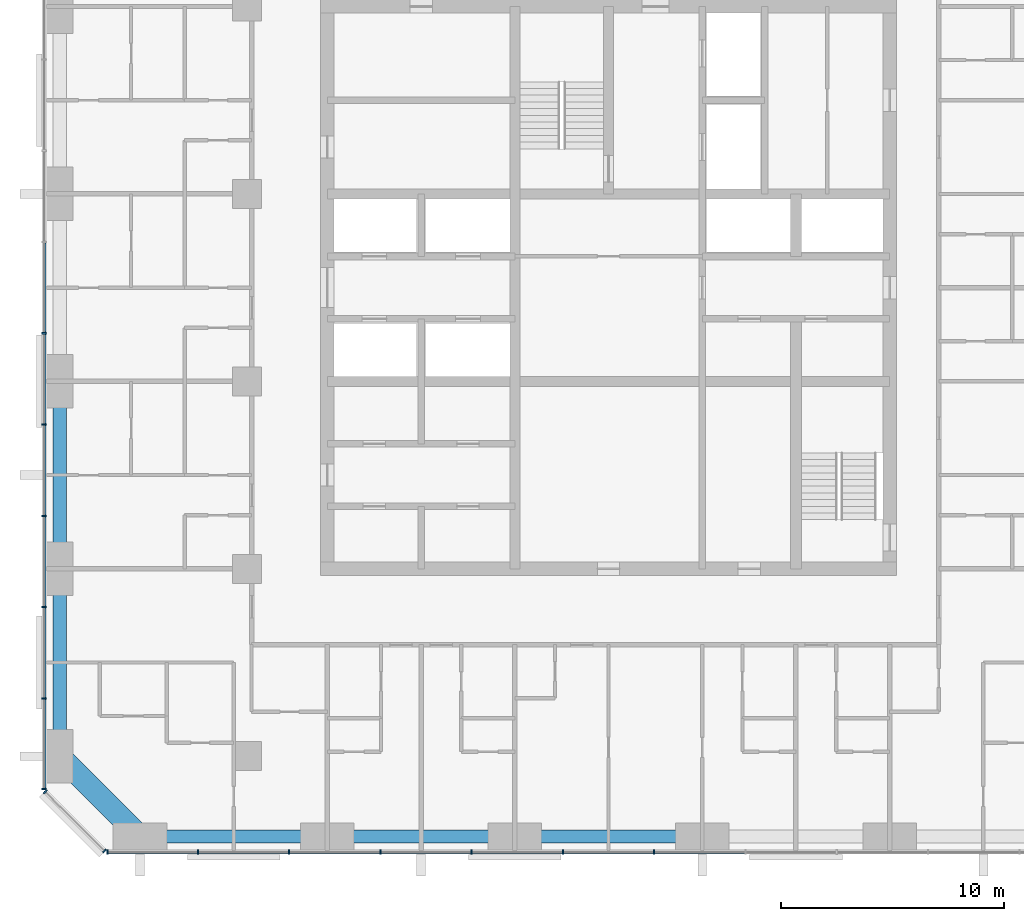
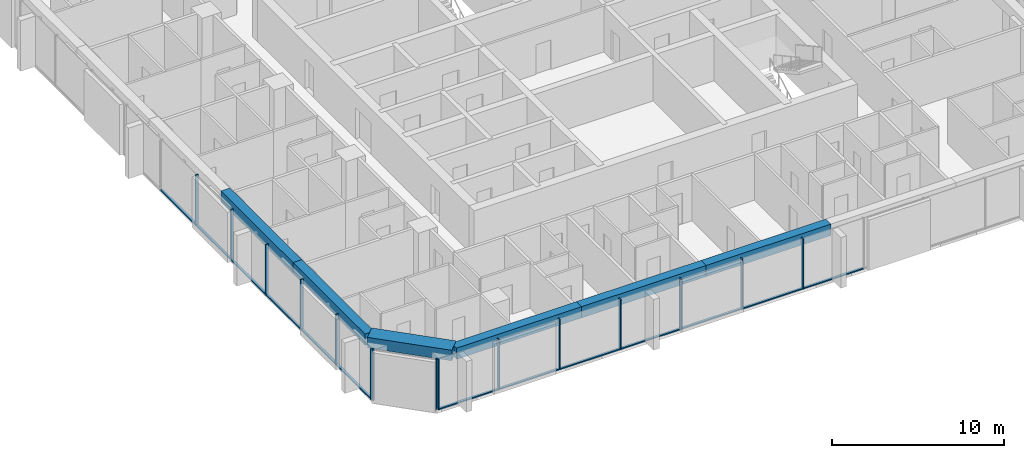
# One storey, part 2 of 14: 28 members, 6 beams, 3 elements without a shape of their own.
"""IFC4 building model written with IfcOpenShell, lengths in metres."""

from ifc_helpers import new_model, si_unit, direction, frame, origin, origin_2d, place, context, subcontext, project, spatial, rectangle, extrude, material, material_profile, profile_set, type_object, element, aggregate, save


model = new_model("IFC4")

# Units and contexts
model_context = context("Model", 3, precision=1e-05, world=origin(), true_north=direction((0.0, 1.0)))
body_context = subcontext(model_context, "Body", "Model", "MODEL_VIEW")
ifc_project = project(units=[si_unit("LENGTHUNIT", "METRE"), si_unit("AREAUNIT", "SQUARE_METRE"), si_unit("VOLUMEUNIT", "CUBIC_METRE"), si_unit("PLANEANGLEUNIT", "RADIAN"), si_unit("MASSUNIT", "GRAM", prefix="KILO")], contexts=[model_context])

# Site, building, storey
site_placement = place(None, origin())
site = spatial("IfcSite", under=ifc_project, at=site_placement, CompositionType="ELEMENT")
building_placement = place(site_placement, origin())
building = spatial("IfcBuilding", under=site, at=building_placement, Name="Dunama Terrace Hotel", CompositionType="ELEMENT")
storey_placement = place(building_placement, frame((0.0, 0.0, 202.199951171875)))
storey = spatial("IfcBuildingStorey", under=building, at=storey_placement, Name="L52", CompositionType="ELEMENT", Elevation=202.199951171875)

# Curtain wall, members
ifc_material_1 = material(Name="Aluminium curtain wall system", Category="aluminium")
curtain_wall_type = type_object("IfcCurtainWallType", Name="Unitised fritted glass wall CW-C", PredefinedType="NOTDEFINED", material=ifc_material_1)
curtain_wall_1_placement = place(storey_placement, origin())
curtain_wall_1 = element("IfcCurtainWall", 1, at=curtain_wall_1_placement, inside=storey, type_object=curtain_wall_type, Name="Unitised fritted glass wall CW-C L52", PredefinedType="NOTDEFINED")
ifc_material_2 = material(Name="Aluminium mullion", Category="aluminium")
ifc_material_profile_1 = material_profile(ifc_material_2, rectangle(XDim=0.070068359375, YDim=0.199951171875, at=origin_2d()), Name="CWC MULLION 70X200")
ifc_profile_set_1 = profile_set([ifc_material_profile_1], Name="Aluminium mullion")
member_type_1 = type_object("IfcMemberType", Name="CWC mullion 70x200", PredefinedType="MULLION", material=ifc_profile_set_1)
member_1_placement = place(storey_placement, frame((6.93505859375, 4.10009765625, 0.0), z_axis=(0.0, 0.0, 1.0), x_axis=(1.0, 0.0, 0.0)))
member_1 = element("IfcMember", 2, at=member_1_placement, type_object=member_type_1, Name="CWC mullion", PredefinedType="MULLION", context=body_context, shape_type="SweptSolid", body=[
    extrude(rectangle(XDim=0.070068359375, YDim=0.199951171875, at=origin_2d()), origin(), (0.0, 0.0, 1.0), 3.60009765625),
])
member_2_placement = place(storey_placement, frame((10.990966796875, 4.10009765625, 0.0), z_axis=(0.0, 0.0, 1.0), x_axis=(1.0, 0.0, 0.0)))
member_2 = element("IfcMember", 3, at=member_2_placement, type_object=member_type_1, Name="CWC mullion", PredefinedType="MULLION", context=body_context, shape_type="SweptSolid", body=[
    extrude(rectangle(XDim=0.070068359375, YDim=0.199951171875, at=origin_2d()), origin(), (0.0, 0.0, 1.0), 3.60009765625),
])
member_3_placement = place(storey_placement, frame((15.08203125, 4.10009765625, 0.0), z_axis=(0.0, 0.0, 1.0), x_axis=(1.0, 0.0, 0.0)))
member_3 = element("IfcMember", 4, at=member_3_placement, type_object=member_type_1, Name="CWC mullion", PredefinedType="MULLION", context=body_context, shape_type="SweptSolid", body=[
    extrude(rectangle(XDim=0.070068359375, YDim=0.199951171875, at=origin_2d()), origin(), (0.0, 0.0, 1.0), 3.60009765625),
])
member_4_placement = place(storey_placement, frame((19.173095703125, 4.10009765625, 0.0), z_axis=(0.0, 0.0, 1.0), x_axis=(1.0, 0.0, 0.0)))
member_4 = element("IfcMember", 5, at=member_4_placement, type_object=member_type_1, Name="CWC mullion", PredefinedType="MULLION", context=body_context, shape_type="SweptSolid", body=[
    extrude(rectangle(XDim=0.070068359375, YDim=0.199951171875, at=origin_2d()), origin(), (0.0, 0.0, 1.0), 3.60009765625),
])
member_5_placement = place(storey_placement, frame((23.263916015625, 4.10009765625, 0.0), z_axis=(0.0, 0.0, 1.0), x_axis=(1.0, 0.0, 0.0)))
member_5 = element("IfcMember", 6, at=member_5_placement, type_object=member_type_1, Name="CWC mullion", PredefinedType="MULLION", context=body_context, shape_type="SweptSolid", body=[
    extrude(rectangle(XDim=0.070068359375, YDim=0.199951171875, at=origin_2d()), origin(), (0.0, 0.0, 1.0), 3.60009765625),
])
member_6_placement = place(storey_placement, frame((27.35498046875, 4.10009765625, 0.0), z_axis=(0.0, 0.0, 1.0), x_axis=(1.0, 0.0, 0.0)))
member_6 = element("IfcMember", 7, at=member_6_placement, type_object=member_type_1, Name="CWC mullion", PredefinedType="MULLION", context=body_context, shape_type="SweptSolid", body=[
    extrude(rectangle(XDim=0.070068359375, YDim=0.199951171875, at=origin_2d()), origin(), (0.0, 0.0, 1.0), 3.60009765625),
])
member_7_placement = place(storey_placement, frame((31.445068359375, 4.10009765625, 0.0), z_axis=(0.0, 0.0, 1.0), x_axis=(1.0, 0.0, 0.0)))
member_7 = element("IfcMember", 8, at=member_7_placement, type_object=member_type_1, Name="CWC mullion", PredefinedType="MULLION", context=body_context, shape_type="SweptSolid", body=[
    extrude(rectangle(XDim=0.070068359375, YDim=0.199951171875, at=origin_2d()), origin(), (0.0, 0.0, 1.0), 3.60009765625),
])

curtain_wall_2_placement = place(storey_placement, origin())
curtain_wall_2 = element("IfcCurtainWall", 9, at=curtain_wall_2_placement, inside=storey, type_object=curtain_wall_type, Name="Unitised fritted glass wall CW-C L52", PredefinedType="NOTDEFINED")
member_8_placement = place(storey_placement, frame((4.10009765625, 27.35498046875, 0.0), z_axis=(0.0, 0.0, 1.0), x_axis=(0.0, -1.0, 0.0)))
member_8 = element("IfcMember", 10, at=member_8_placement, type_object=member_type_1, Name="CWC mullion", PredefinedType="MULLION", context=body_context, shape_type="SweptSolid", body=[
    extrude(rectangle(XDim=0.070068359375, YDim=0.199951171875, at=origin_2d()), origin(), (0.0, 0.0, 1.0), 3.60009765625),
])
member_9_placement = place(storey_placement, frame((4.10009765625, 23.263916015625, 0.0), z_axis=(0.0, 0.0, 1.0), x_axis=(0.0, -1.0, 0.0)))
member_9 = element("IfcMember", 11, at=member_9_placement, type_object=member_type_1, Name="CWC mullion", PredefinedType="MULLION", context=body_context, shape_type="SweptSolid", body=[
    extrude(rectangle(XDim=0.070068359375, YDim=0.199951171875, at=origin_2d()), origin(), (0.0, 0.0, 1.0), 3.60009765625),
])
member_10_placement = place(storey_placement, frame((4.10009765625, 19.173095703125, 0.0), z_axis=(0.0, 0.0, 1.0), x_axis=(0.0, -1.0, 0.0)))
member_10 = element("IfcMember", 12, at=member_10_placement, type_object=member_type_1, Name="CWC mullion", PredefinedType="MULLION", context=body_context, shape_type="SweptSolid", body=[
    extrude(rectangle(XDim=0.070068359375, YDim=0.199951171875, at=origin_2d()), origin(), (0.0, 0.0, 1.0), 3.60009765625),
])
member_11_placement = place(storey_placement, frame((4.10009765625, 15.08203125, 0.0), z_axis=(0.0, 0.0, 1.0), x_axis=(0.0, -1.0, 0.0)))
member_11 = element("IfcMember", 13, at=member_11_placement, type_object=member_type_1, Name="CWC mullion", PredefinedType="MULLION", context=body_context, shape_type="SweptSolid", body=[
    extrude(rectangle(XDim=0.070068359375, YDim=0.199951171875, at=origin_2d()), origin(), (0.0, 0.0, 1.0), 3.60009765625),
])
member_12_placement = place(storey_placement, frame((4.10009765625, 10.990966796875, 0.0), z_axis=(0.0, 0.0, 1.0), x_axis=(0.0, -1.0, 0.0)))
member_12 = element("IfcMember", 14, at=member_12_placement, type_object=member_type_1, Name="CWC mullion", PredefinedType="MULLION", context=body_context, shape_type="SweptSolid", body=[
    extrude(rectangle(XDim=0.070068359375, YDim=0.199951171875, at=origin_2d()), origin(), (0.0, 0.0, 1.0), 3.60009765625),
])
member_13_placement = place(storey_placement, frame((4.10009765625, 6.93505859375, 0.0), z_axis=(0.0, 0.0, 1.0), x_axis=(0.0, -1.0, 0.0)))
member_13 = element("IfcMember", 15, at=member_13_placement, type_object=member_type_1, Name="CWC mullion", PredefinedType="MULLION", context=body_context, shape_type="SweptSolid", body=[
    extrude(rectangle(XDim=0.070068359375, YDim=0.199951171875, at=origin_2d()), origin(), (0.0, 0.0, 1.0), 3.60009765625),
])

curtain_wall_3_placement = place(storey_placement, origin())
curtain_wall_3 = element("IfcCurtainWall", 16, at=curtain_wall_3_placement, inside=storey, type_object=curtain_wall_type, Name="Unitised fritted glass wall CW-C L52", PredefinedType="NOTDEFINED")
member_14_placement = place(storey_placement, frame((4.154052734375, 6.804931640625, 0.0), z_axis=(0.0, 0.0, 1.0), x_axis=(0.707106781187, -0.707106781187, 0.0)))
member_14 = element("IfcMember", 17, at=member_14_placement, type_object=member_type_1, Name="CWC mullion", PredefinedType="MULLION", context=body_context, shape_type="SweptSolid", body=[
    extrude(rectangle(XDim=0.070068359375, YDim=0.199951171875, at=origin_2d()), origin(), (0.0, 0.0, 1.0), 3.60009765625),
])
member_15_placement = place(storey_placement, frame((6.804931640625, 4.154052734375, 0.0), z_axis=(0.0, 0.0, 1.0), x_axis=(0.707106781187, -0.707106781187, 0.0)))
member_15 = element("IfcMember", 18, at=member_15_placement, type_object=member_type_1, Name="CWC mullion", PredefinedType="MULLION", context=body_context, shape_type="SweptSolid", body=[
    extrude(rectangle(XDim=0.070068359375, YDim=0.199951171875, at=origin_2d()), origin(), (0.0, 0.0, 1.0), 3.60009765625),
])
aggregate(curtain_wall_3, [member_14, member_15])

# Member
ifc_material_3 = material(Name="Aluminium transom", Category="aluminium")
ifc_material_profile_2 = material_profile(ifc_material_3, rectangle(XDim=0.159912109375, YDim=0.080078125, at=origin_2d()), Name="CWC TRANSOM 160X80")
ifc_profile_set_2 = profile_set([ifc_material_profile_2], Name="Aluminium transom")
member_type_2 = type_object("IfcMemberType", Name="CWC transom 160x80", PredefinedType="USERDEFINED", material=ifc_profile_set_2)
member_16_placement = place(storey_placement, frame((6.969970703125, 4.10009765625, 0.0400390625), z_axis=(1.0, 0.0, 0.0), x_axis=(0.0, 1.0, 0.0)))
member_16 = element("IfcMember", 19, at=member_16_placement, type_object=member_type_2, Name="CWC transom", ObjectType="TRANSOM", PredefinedType="USERDEFINED", context=body_context, shape_type="SweptSolid", body=[
    extrude(rectangle(XDim=0.159912109375, YDim=0.080078125, at=origin_2d()), origin(), (0.0, 0.0, 1.0), 3.986083984375),
])

member_17_placement = place(storey_placement, frame((11.02587890625, 4.10009765625, 0.0400390625), z_axis=(1.0, 0.0, 0.0), x_axis=(0.0, 1.0, 0.0)))
member_17 = element("IfcMember", 20, at=member_17_placement, type_object=member_type_2, Name="CWC transom", ObjectType="TRANSOM", PredefinedType="USERDEFINED", context=body_context, shape_type="SweptSolid", body=[
    extrude(rectangle(XDim=0.159912109375, YDim=0.080078125, at=origin_2d()), origin(), (0.0, 0.0, 1.0), 4.021240234375),
])

member_18_placement = place(storey_placement, frame((15.116943359375, 4.10009765625, 0.0400390625), z_axis=(1.0, 0.0, 0.0), x_axis=(0.0, 1.0, 0.0)))
member_18 = element("IfcMember", 21, at=member_18_placement, type_object=member_type_2, Name="CWC transom", ObjectType="TRANSOM", PredefinedType="USERDEFINED", context=body_context, shape_type="SweptSolid", body=[
    extrude(rectangle(XDim=0.159912109375, YDim=0.080078125, at=origin_2d()), origin(), (0.0, 0.0, 1.0), 4.02099609375),
])

member_19_placement = place(storey_placement, frame((19.2080078125, 4.10009765625, 0.0400390625), z_axis=(1.0, 0.0, 0.0), x_axis=(0.0, 1.0, 0.0)))
member_19 = element("IfcMember", 22, at=member_19_placement, type_object=member_type_2, Name="CWC transom", ObjectType="TRANSOM", PredefinedType="USERDEFINED", context=body_context, shape_type="SweptSolid", body=[
    extrude(rectangle(XDim=0.159912109375, YDim=0.080078125, at=origin_2d()), origin(), (0.0, 0.0, 1.0), 4.02099609375),
])

member_20_placement = place(storey_placement, frame((23.299072265625, 4.10009765625, 0.0400390625), z_axis=(1.0, 0.0, 0.0), x_axis=(0.0, 1.0, 0.0)))
member_20 = element("IfcMember", 23, at=member_20_placement, type_object=member_type_2, Name="CWC transom", ObjectType="TRANSOM", PredefinedType="USERDEFINED", context=body_context, shape_type="SweptSolid", body=[
    extrude(rectangle(XDim=0.159912109375, YDim=0.080078125, at=origin_2d()), origin(), (0.0, 0.0, 1.0), 4.02099609375),
])

member_21_placement = place(storey_placement, frame((27.389892578125, 4.10009765625, 0.0400390625), z_axis=(1.0, 0.0, 0.0), x_axis=(0.0, 1.0, 0.0)))
member_21 = element("IfcMember", 24, at=member_21_placement, type_object=member_type_2, Name="CWC transom", ObjectType="TRANSOM", PredefinedType="USERDEFINED", context=body_context, shape_type="SweptSolid", body=[
    extrude(rectangle(XDim=0.159912109375, YDim=0.080078125, at=origin_2d()), origin(), (0.0, 0.0, 1.0), 4.02001953125),
])

member_22_placement = place(storey_placement, frame((31.47998046875, 4.10009765625, 0.0400390625), z_axis=(1.0, 0.0, 0.0), x_axis=(0.0, 1.0, 0.0)))
member_22 = element("IfcMember", 25, at=member_22_placement, type_object=member_type_2, Name="CWC transom", ObjectType="TRANSOM", PredefinedType="USERDEFINED", context=body_context, shape_type="SweptSolid", body=[
    extrude(rectangle(XDim=0.159912109375, YDim=0.080078125, at=origin_2d()), origin(), (0.0, 0.0, 1.0), 4.02099609375),
])

aggregate(curtain_wall_1, [member_1, member_2, member_3, member_4, member_5, member_6, member_7, member_16, member_17, member_18, member_19, member_20, member_21, member_22])

member_23_placement = place(storey_placement, frame((4.10009765625, 31.409912109375, 0.0400390625), z_axis=(0.0, -1.0, 0.0), x_axis=(1.0, 0.0, 0.0)))
member_23 = element("IfcMember", 26, at=member_23_placement, type_object=member_type_2, Name="CWC transom", ObjectType="TRANSOM", PredefinedType="USERDEFINED", context=body_context, shape_type="SweptSolid", body=[
    extrude(rectangle(XDim=0.159912109375, YDim=0.080078125, at=origin_2d()), origin(), (0.0, 0.0, 1.0), 4.02001953125),
])

member_24_placement = place(storey_placement, frame((4.10009765625, 27.320068359375, 0.0400390625), z_axis=(0.0, -1.0, 0.0), x_axis=(1.0, 0.0, 0.0)))
member_24 = element("IfcMember", 27, at=member_24_placement, type_object=member_type_2, Name="CWC transom", ObjectType="TRANSOM", PredefinedType="USERDEFINED", context=body_context, shape_type="SweptSolid", body=[
    extrude(rectangle(XDim=0.159912109375, YDim=0.080078125, at=origin_2d()), origin(), (0.0, 0.0, 1.0), 4.02099609375),
])

member_25_placement = place(storey_placement, frame((4.10009765625, 23.22900390625, 0.0400390625), z_axis=(0.0, -1.0, 0.0), x_axis=(1.0, 0.0, 0.0)))
member_25 = element("IfcMember", 28, at=member_25_placement, type_object=member_type_2, Name="CWC transom", ObjectType="TRANSOM", PredefinedType="USERDEFINED", context=body_context, shape_type="SweptSolid", body=[
    extrude(rectangle(XDim=0.159912109375, YDim=0.080078125, at=origin_2d()), origin(), (0.0, 0.0, 1.0), 4.02099609375),
])

member_26_placement = place(storey_placement, frame((4.10009765625, 19.137939453125, 0.0400390625), z_axis=(0.0, -1.0, 0.0), x_axis=(1.0, 0.0, 0.0)))
member_26 = element("IfcMember", 29, at=member_26_placement, type_object=member_type_2, Name="CWC transom", ObjectType="TRANSOM", PredefinedType="USERDEFINED", context=body_context, shape_type="SweptSolid", body=[
    extrude(rectangle(XDim=0.159912109375, YDim=0.080078125, at=origin_2d()), origin(), (0.0, 0.0, 1.0), 4.02099609375),
])

member_27_placement = place(storey_placement, frame((4.10009765625, 15.047119140625, 0.0400390625), z_axis=(0.0, -1.0, 0.0), x_axis=(1.0, 0.0, 0.0)))
member_27 = element("IfcMember", 30, at=member_27_placement, type_object=member_type_2, Name="CWC transom", ObjectType="TRANSOM", PredefinedType="USERDEFINED", context=body_context, shape_type="SweptSolid", body=[
    extrude(rectangle(XDim=0.159912109375, YDim=0.080078125, at=origin_2d()), origin(), (0.0, 0.0, 1.0), 4.021240234375),
])

member_28_placement = place(storey_placement, frame((4.10009765625, 10.9560546875, 0.0400390625), z_axis=(0.0, -1.0, 0.0), x_axis=(1.0, 0.0, 0.0)))
member_28 = element("IfcMember", 31, at=member_28_placement, type_object=member_type_2, Name="CWC transom", ObjectType="TRANSOM", PredefinedType="USERDEFINED", context=body_context, shape_type="SweptSolid", body=[
    extrude(rectangle(XDim=0.159912109375, YDim=0.080078125, at=origin_2d()), origin(), (0.0, 0.0, 1.0), 3.986083984375),
])

aggregate(curtain_wall_2, [member_8, member_9, member_10, member_11, member_12, member_13, member_23, member_24, member_25, member_26, member_27, member_28])

# Beams
ifc_material_4 = material(Name="Concrete C50/60", Category="concrete")
ifc_material_profile_3 = material_profile(ifc_material_4, rectangle(XDim=1.0, YDim=0.75, at=origin_2d()), Name="RC 1000x750")
ifc_profile_set_3 = profile_set([ifc_material_profile_3], Name="Concrete C50/60")
beam_type_1 = type_object("IfcBeamType", Name="Edge beam RC 1000x750", PredefinedType="SPANDREL", material=ifc_profile_set_3)
beam_1_placement = place(storey_placement, frame((8.39990234375, 4.800048828125, 3.22509765625), z_axis=(-0.707106781187, 0.707106781187, 0.0), x_axis=(-0.707106781187, -0.707106781187, 0.0)))
element("IfcBeam", 32, at=beam_1_placement, inside=storey, type_object=beam_type_1, Name="Corner edge beam under L53", PredefinedType="SPANDREL", context=body_context, shape_type="SweptSolid", body=[
    extrude(rectangle(XDim=1.0, YDim=0.75, at=origin_2d()), origin(), (0.0, 0.0, 1.0), 5.091064453125),
])
ifc_material_5 = material(Name="Concrete C40/50", Category="concrete")
ifc_material_profile_4 = material_profile(ifc_material_5, rectangle(XDim=0.60009765625, YDim=0.800048828125, at=origin_2d()), Name="RC 600x800")
ifc_profile_set_4 = profile_set([ifc_material_profile_4], Name="Concrete C40/50")
beam_type_2 = type_object("IfcBeamType", Name="Edge beam RC 600x800", PredefinedType="SPANDREL", material=ifc_profile_set_4)
beam_2_placement = place(storey_placement, frame((4.800048828125, 8.39990234375, 3.199951171875), z_axis=(0.0, 1.0, 0.0), x_axis=(-1.0, 0.0, 0.0)))
element("IfcBeam", 33, at=beam_2_placement, inside=storey, type_object=beam_type_2, Name="Edge beam under L53", PredefinedType="SPANDREL", context=body_context, shape_type="SweptSolid", body=[
    extrude(rectangle(XDim=0.60009765625, YDim=0.800048828125, at=origin_2d()), origin(), (0.0, 0.0, 1.0), 8.400146484375),
])
beam_3_placement = place(storey_placement, frame((4.800048828125, 16.800048828125, 3.199951171875), z_axis=(0.0, 1.0, 0.0), x_axis=(-1.0, 0.0, 0.0)))
element("IfcBeam", 34, at=beam_3_placement, inside=storey, type_object=beam_type_2, Name="Edge beam under L53", PredefinedType="SPANDREL", context=body_context, shape_type="SweptSolid", body=[
    extrude(rectangle(XDim=0.60009765625, YDim=0.800048828125, at=origin_2d()), origin(), (0.0, 0.0, 1.0), 8.39990234375),
])
beam_4_placement = place(storey_placement, frame((8.39990234375, 4.800048828125, 3.199951171875), z_axis=(1.0, 0.0, 0.0), x_axis=(0.0, 1.0, 0.0)))
element("IfcBeam", 35, at=beam_4_placement, inside=storey, type_object=beam_type_2, Name="Edge beam under L53", PredefinedType="SPANDREL", context=body_context, shape_type="SweptSolid", body=[
    extrude(rectangle(XDim=0.60009765625, YDim=0.800048828125, at=origin_2d()), origin(), (0.0, 0.0, 1.0), 8.400146484375),
])
beam_5_placement = place(storey_placement, frame((16.800048828125, 4.800048828125, 3.199951171875), z_axis=(1.0, 0.0, 0.0), x_axis=(0.0, 1.0, 0.0)))
element("IfcBeam", 36, at=beam_5_placement, inside=storey, type_object=beam_type_2, Name="Edge beam under L53", PredefinedType="SPANDREL", context=body_context, shape_type="SweptSolid", body=[
    extrude(rectangle(XDim=0.60009765625, YDim=0.800048828125, at=origin_2d()), origin(), (0.0, 0.0, 1.0), 8.39990234375),
])
beam_6_placement = place(storey_placement, frame((25.199951171875, 4.800048828125, 3.199951171875), z_axis=(1.0, 0.0, 0.0), x_axis=(0.0, 1.0, 0.0)))
element("IfcBeam", 37, at=beam_6_placement, inside=storey, type_object=beam_type_2, Name="Edge beam under L53", PredefinedType="SPANDREL", context=body_context, shape_type="SweptSolid", body=[
    extrude(rectangle(XDim=0.60009765625, YDim=0.800048828125, at=origin_2d()), origin(), (0.0, 0.0, 1.0), 8.400146484375),
])

save(model, "model.ifc")
